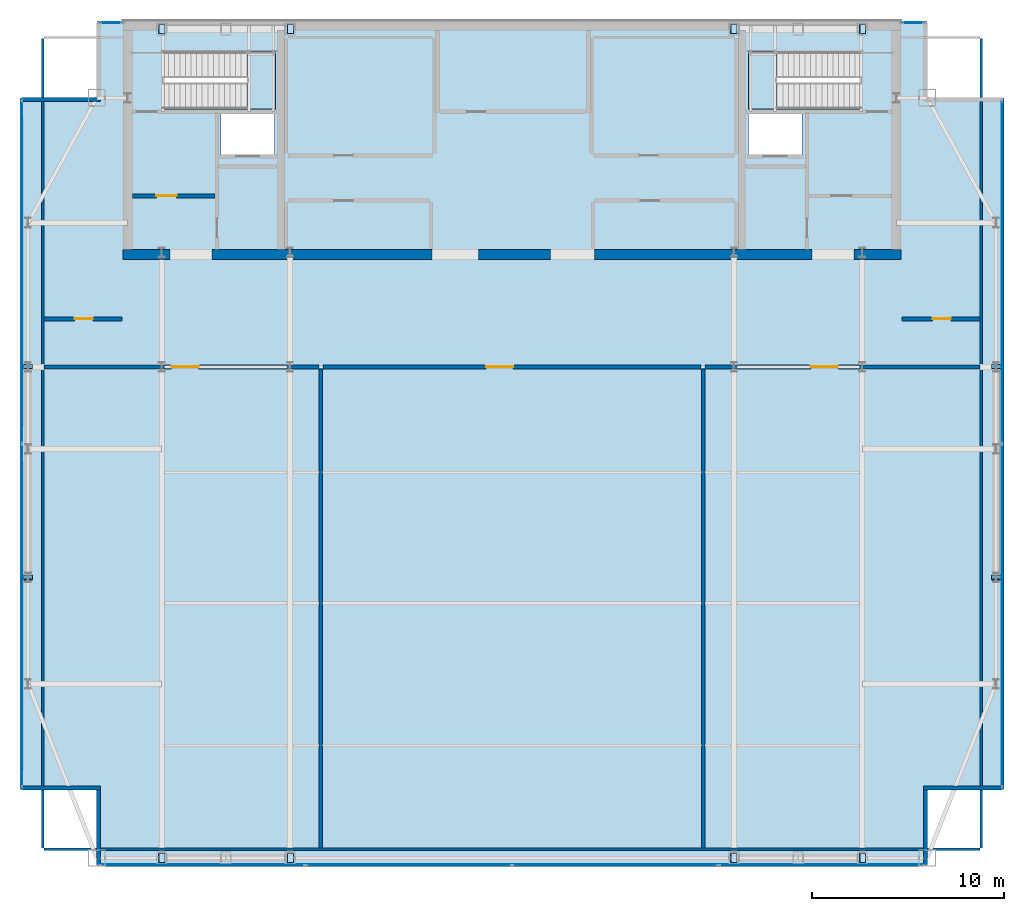
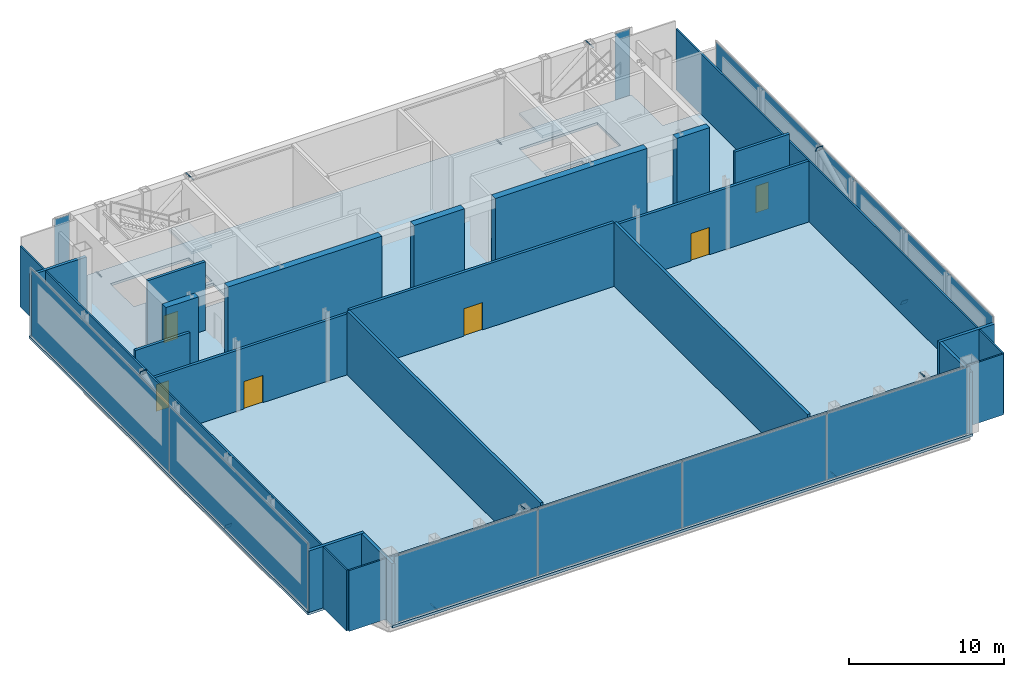
# One storey, part 18 of 22: 22 plates, 21 walls, 6 doors, 3 slabs, 6 openings, 7 elements without a shape of their own.
"""IFC4 building model written with IfcOpenShell, lengths in metres."""

import ifcopenshell
import ifcopenshell.guid

model = None  # the IFC model being written
_history = None  # IfcOwnerHistory: only IFC2X3 demands one
_inside = {}  # id of a spatial element -> (the spatial element, [elements in it])
_under = {}  # id of a project, library or spatial element -> (it, [spatial elements below it])
_declared = {}  # id of a project -> (the project, [libraries it declares])
_typed = {}  # id of a type object -> (the type object, [elements of that type])
_made_of = {}  # id of a material, layer set ... -> (it, [elements and type objects made of it])


def new_model(schema):
    """Start an empty IFC model of exactly this schema.

    Asked for "IFC4X3", IfcOpenShell would pick the latest addendum, in which some entities
    have other attributes; the version numbers below select the first issue.
    IFC2X3 requires an IfcOwnerHistory on every rooted entity: one is made here for all.
    """
    global model, _history
    if schema == "IFC4X3":
        model = ifcopenshell.file(schema_version=(4, 3, 0, 0))
    else:
        model = ifcopenshell.file(schema=schema)
    _inside.clear()
    _under.clear()
    _declared.clear()
    _typed.clear()
    _made_of.clear()
    _history = None
    if model.schema == "IFC2X3":
        org = make("IfcOrganization", Name="unknown")
        user = make(
            "IfcPersonAndOrganization",
            ThePerson=make("IfcPerson", FamilyName="unknown"),
            TheOrganization=org,
        )
        app = make(
            "IfcApplication",
            ApplicationDeveloper=org,
            Version="unknown",
            ApplicationFullName="unknown",
            ApplicationIdentifier="unknown",
        )
        _history = make(
            "IfcOwnerHistory",
            OwningUser=user,
            OwningApplication=app,
            ChangeAction="ADDED",
            CreationDate=0,
        )
    return model


def make(cls, **values):
    """One entity of the class cls with the attributes given. An attribute that is None is left unset."""
    return model.create_entity(
        cls, **{name: value for name, value in values.items() if value is not None}
    )


def rooted(cls, **values):
    """An entity with a GlobalId (a new one), such as an element, a storey or a relation."""
    return make(cls, GlobalId=ifcopenshell.guid.new(), OwnerHistory=_history, **values)


def si_unit(unit_type, name, prefix=None):
    """IfcSIUnit, for example si_unit("LENGTHUNIT", "METRE", prefix="MILLI")."""
    return make("IfcSIUnit", UnitType=unit_type, Prefix=prefix, Name=name)


def assignment(units):
    """IfcUnitAssignment: the units of a project."""
    return None if units is None else make("IfcUnitAssignment", Units=units)


def point(xyz):
    """IfcCartesianPoint."""
    return None if xyz is None else make("IfcCartesianPoint", Coordinates=xyz)


def direction(xyz):
    """IfcDirection."""
    return None if xyz is None else make("IfcDirection", DirectionRatios=xyz)


def frame(location, z_axis=None, x_axis=None):
    """IfcAxis2Placement3D, a coordinate frame: its origin and axes. An axis left out is left unset."""
    return make(
        "IfcAxis2Placement3D",
        Location=point(location),
        Axis=direction(z_axis),
        RefDirection=direction(x_axis),
    )


def frame_2d(location, x_axis=None):
    """IfcAxis2Placement2D, a coordinate frame in the plane: its origin and x axis."""
    return make(
        "IfcAxis2Placement2D", Location=point(location), RefDirection=direction(x_axis)
    )


def origin():
    """The frame at (0, 0, 0) with its axes left unset."""
    return frame((0.0, 0.0, 0.0))


def origin_2d():
    """The frame at (0, 0) in the plane with its x axis left unset."""
    return frame_2d((0.0, 0.0))


def place(relative_to, where):
    """IfcLocalPlacement: puts the frame where relative to a parent placement (None: the world)."""
    return make(
        "IfcLocalPlacement", PlacementRelTo=relative_to, RelativePlacement=where
    )


def context(
    kind, dimensions, precision=None, world=None, true_north=None, identifier=None
):
    """IfcGeometricRepresentationContext, for example the 3D "Model" context."""
    return make(
        "IfcGeometricRepresentationContext",
        ContextIdentifier=identifier,
        ContextType=kind,
        CoordinateSpaceDimension=dimensions,
        Precision=precision,
        WorldCoordinateSystem=world,
        TrueNorth=true_north,
    )


def subcontext(parent, identifier, kind, view, scale=None):
    """IfcGeometricRepresentationSubContext, for example "Body" below "Model"."""
    return make(
        "IfcGeometricRepresentationSubContext",
        ContextIdentifier=identifier,
        ContextType=kind,
        ParentContext=parent,
        TargetScale=scale,
        TargetView=view,
    )


def project(units=None, contexts=None):
    """IfcProject with its units and contexts."""
    return rooted(
        "IfcProject",
        Name="project",
        RepresentationContexts=contexts,
        UnitsInContext=assignment(units),
    )


def spatial(cls, under=None, at=None, **own):
    """A site, building, storey or space (cls), placed at a placement, below another one or the project."""
    s = rooted(cls, ObjectPlacement=at, **own)
    if under is not None:
        _under.setdefault(under.id(), (under, []))[1].append(s)
    return s


def polyline(points):
    """IfcPolyline through the points."""
    return make("IfcPolyline", Points=[point(p) for p in points])


def profile(cls, at=None, kind="AREA", **sizes):
    """A parametric profile (cls). Its sizes go by their IFC names, for example OverallWidth=200.0."""
    return make(cls, ProfileType=kind, Position=at, **sizes)


def rectangle(**sizes):
    """IfcRectangleProfileDef."""
    return profile("IfcRectangleProfileDef", **sizes)


def outline(outer, holes=None, kind="AREA"):
    """IfcArbitraryClosedProfileDef: a profile drawn as a closed curve; with holes, ...WithVoids."""
    if holes is None:
        return make("IfcArbitraryClosedProfileDef", ProfileType=kind, OuterCurve=outer)
    return make(
        "IfcArbitraryProfileDefWithVoids",
        ProfileType=kind,
        OuterCurve=outer,
        InnerCurves=holes,
    )


def extrude(swept, where, along, depth):
    """IfcExtrudedAreaSolid: the profile swept, set in the frame where, extruded along a direction by depth."""
    return make(
        "IfcExtrudedAreaSolid",
        SweptArea=swept,
        Position=where,
        ExtrudedDirection=direction(along),
        Depth=depth,
    )


def shape(context_of_items, identifier, shape_type, items):
    """IfcShapeRepresentation: the items that make up one representation, for example the "Body"."""
    return make(
        "IfcShapeRepresentation",
        ContextOfItems=context_of_items,
        RepresentationIdentifier=identifier,
        RepresentationType=shape_type,
        Items=items,
    )


def material(Name=None, Category=None):
    """IfcMaterial."""
    return make("IfcMaterial", Name=Name, Category=Category)


def layer(
    of_material, thickness, ventilated=None, Name=None, Category=None, Priority=None
):
    """IfcMaterialLayer: one layer of a wall or slab, of a material (None: an air gap)."""
    return make(
        "IfcMaterialLayer",
        Material=of_material,
        LayerThickness=thickness,
        IsVentilated=ventilated,
        Name=Name,
        Category=Category,
        Priority=Priority,
    )


def layer_set(layers, Name=None):
    """IfcMaterialLayerSet."""
    return make("IfcMaterialLayerSet", MaterialLayers=layers, LayerSetName=Name)


def made_of(thing, what):
    """Note that an element or type object is made of a material, layer set ...; save() writes the relation."""
    if what is not None:
        _made_of.setdefault(what.id(), (what, []))[1].append(thing)
    return thing


def type_object(cls, material=None, **own):
    """A type object (cls), such as IfcWallType, which elements share."""
    return made_of(rooted(cls, **own), material)


def element(
    cls,
    number,
    at=None,
    inside=None,
    cuts=None,
    type_object=None,
    material=None,
    context=None,
    identifier="Body",
    shape_type=None,
    held_by="IfcProductDefinitionShape",
    body=None,
    shapes=None,
    **own,
):
    """One element of the class cls, such as IfcWall. Its Tag is "e" and its number.

    at: its placement. inside: the storey or other place that contains it. cuts: it is an
    opening in that element (IfcRelVoidsElement). A single representation is given by context,
    identifier, shape_type and body (its items); several are given by shapes. held_by: the class
    of the entity that holds the representations. save() writes the other relations.
    """
    e = rooted(cls, Tag="e%d" % number, ObjectPlacement=at, **own)
    if body is not None:
        shapes = [shape(context, identifier, shape_type, body)]
    if shapes is not None:
        e.Representation = make(held_by, Representations=shapes)
    if inside is not None:
        _inside.setdefault(inside.id(), (inside, []))[1].append(e)
    if cuts is not None:
        rooted(
            "IfcRelVoidsElement", RelatingBuildingElement=cuts, RelatedOpeningElement=e
        )
    if type_object is not None:
        _typed.setdefault(type_object.id(), (type_object, []))[1].append(e)
    return made_of(e, material)


def fill(opening, filler):
    """IfcRelFillsElement: the door or window that sits in an opening."""
    return rooted(
        "IfcRelFillsElement",
        RelatingOpeningElement=opening,
        RelatedBuildingElement=filler,
    )


def aggregate(whole, parts):
    """IfcRelAggregates: a whole, such as a stair, and the parts it consists of."""
    return rooted("IfcRelAggregates", RelatingObject=whole, RelatedObjects=parts)


def save(model, path):
    """Write the relations noted so far, then the file.

    IfcRelAggregates (storeys below a building ...), IfcRelContainedInSpatialStructure (elements
    in a storey), IfcRelDefinesByType, IfcRelAssociatesMaterial and IfcRelDeclares: one each for
    every whole, place, type object, material and project.
    """
    for whole, parts in _under.values():
        aggregate(whole, parts)
    for where, things in _inside.values():
        rooted(
            "IfcRelContainedInSpatialStructure",
            RelatedElements=things,
            RelatingStructure=where,
        )
    for kind, things in _typed.values():
        rooted("IfcRelDefinesByType", RelatedObjects=things, RelatingType=kind)
    for what, things in _made_of.values():
        rooted("IfcRelAssociatesMaterial", RelatedObjects=things, RelatingMaterial=what)
    for by, libraries in _declared.values():
        rooted("IfcRelDeclares", RelatingContext=by, RelatedDefinitions=libraries)
    model.write(path)


model = new_model("IFC4")

# Units and contexts
model_context = context("Model", 3, precision=1e-05, world=origin(), true_north=direction((0.0, 1.0)))
body_context = subcontext(model_context, "Body", "Model", "MODEL_VIEW")
ifc_project = project(units=[si_unit("LENGTHUNIT", "METRE"), si_unit("AREAUNIT", "SQUARE_METRE"), si_unit("VOLUMEUNIT", "CUBIC_METRE"), si_unit("PLANEANGLEUNIT", "RADIAN"), si_unit("MASSUNIT", "GRAM", prefix="KILO")], contexts=[model_context])

# Site, building, storey
site_placement = place(None, origin())
site = spatial("IfcSite", under=ifc_project, at=site_placement, CompositionType="ELEMENT")
building_placement = place(site_placement, origin())
building = spatial("IfcBuilding", under=site, at=building_placement, Name="Khoronbel Lancet Exchange", CompositionType="ELEMENT")
storey_placement = place(building_placement, frame((0.0, 0.0, 367.39990234375)))
storey = spatial("IfcBuildingStorey", under=building, at=storey_placement, Name="L94", CompositionType="ELEMENT", Elevation=367.39990234375)

# Curtain wall, plates
ifc_material_1 = material(Name="Low-E Solar Control Insulating Glass", Category="glass")
curtain_wall_type = type_object("IfcCurtainWallType", Name="CW-6", PredefinedType="NOTDEFINED", material=ifc_material_1)
curtain_wall_1_placement = place(storey_placement, origin())
curtain_wall_1 = element("IfcCurtainWall", 1, at=curtain_wall_1_placement, inside=storey, type_object=curtain_wall_type, Name="Unitised curtain wall CW-L94-E03", PredefinedType="NOTDEFINED")
ifc_material_2 = material(Name="Bronze-Anodised Aluminium 6063-T6", Category="aluminium")
ifc_layer_1 = layer(ifc_material_2, 0.050048828125, Name="Bronze-Anodised Aluminium 6063-T6")
ifc_layer_set_1 = layer_set([ifc_layer_1], Name="Bronze-Anodised Aluminium 6063-T6")
plate_type_1 = type_object("IfcPlateType", Name="PLT-CSP1", PredefinedType="SHEET", material=ifc_layer_set_1)
plate_1_placement = place(storey_placement, frame((10.93994140625, 22.763671875, 0.085205078125), z_axis=(0.0, 0.0, 1.0), x_axis=(0.0, 1.0, 0.0)))
plate_1 = element("IfcPlate", 2, at=plate_1_placement, type_object=plate_type_1, Name="CW6 panel 1.1", PredefinedType="CURTAIN_PANEL", context=body_context, shape_type="SweptSolid", body=[
    extrude(rectangle(XDim=17.797607421875, YDim=0.0380859375, at=origin_2d()), origin(), (0.0, 0.0, 1.0), 5.22998046875),
])
plate_2_placement = place(storey_placement, frame((10.93994140625, 40.63623046875, 0.085205078125), z_axis=(0.0, 0.0, 1.0), x_axis=(0.0, 1.0, 0.0)))
plate_2 = element("IfcPlate", 3, at=plate_2_placement, type_object=plate_type_1, Name="CW6 panel 2.1", PredefinedType="CURTAIN_PANEL", context=body_context, shape_type="SweptSolid", body=[
    extrude(rectangle(XDim=17.797607421875, YDim=0.0380859375, at=origin_2d()), origin(), (0.0, 0.0, 1.0), 5.22998046875),
])
aggregate(curtain_wall_1, [plate_1, plate_2])

# Curtain wall, plate
curtain_wall_2_placement = place(storey_placement, origin())
curtain_wall_2 = element("IfcCurtainWall", 4, at=curtain_wall_2_placement, inside=storey, type_object=curtain_wall_type, Name="Unitised curtain wall CW-L94-NWFLK", PredefinedType="NOTDEFINED")
plate_3_placement = place(storey_placement, frame((15.580078125, 53.610107421875, 0.085205078125), z_axis=(0.0, 0.0, 1.0), x_axis=(-1.0, 0.0, 0.0)))
plate_3 = element("IfcPlate", 5, at=plate_3_placement, type_object=plate_type_1, Name="CW6 panel 1.1", PredefinedType="CURTAIN_PANEL", context=body_context, shape_type="SweptSolid", body=[
    extrude(rectangle(XDim=1.110107421875, YDim=0.0380859375, at=origin_2d()), origin(), (0.0, 0.0, 1.0), 5.22998046875),
])
aggregate(curtain_wall_2, [plate_3])

curtain_wall_3_placement = place(storey_placement, origin())
curtain_wall_3 = element("IfcCurtainWall", 6, at=curtain_wall_3_placement, inside=storey, type_object=curtain_wall_type, Name="Unitised curtain wall CW-L94-NEFLK", PredefinedType="NOTDEFINED")
plate_4_placement = place(storey_placement, frame((57.320068359375, 53.610107421875, 0.085205078125), z_axis=(0.0, 0.0, 1.0), x_axis=(-1.0, 0.0, 0.0)))
plate_4 = element("IfcPlate", 7, at=plate_4_placement, type_object=plate_type_1, Name="CW6 panel 1.1", PredefinedType="CURTAIN_PANEL", context=body_context, shape_type="SweptSolid", body=[
    extrude(rectangle(XDim=1.110107421875, YDim=0.0380859375, at=origin_2d()), origin(), (0.0, 0.0, 1.0), 5.22998046875),
])
aggregate(curtain_wall_3, [plate_4])

# Curtain wall, plates
curtain_wall_4_placement = place(storey_placement, origin())
curtain_wall_4 = element("IfcCurtainWall", 8, at=curtain_wall_4_placement, inside=storey, type_object=curtain_wall_type, Name="Unitised curtain wall CW-L94-E09", PredefinedType="NOTDEFINED")
plate_5_placement = place(storey_placement, frame((61.9599609375, 40.63623046875, 0.085205078125), z_axis=(0.0, 0.0, 1.0), x_axis=(0.0, -1.0, 0.0)))
plate_5 = element("IfcPlate", 9, at=plate_5_placement, type_object=plate_type_1, Name="CW6 panel 1.1", PredefinedType="CURTAIN_PANEL", context=body_context, shape_type="SweptSolid", body=[
    extrude(rectangle(XDim=17.797607421875, YDim=0.0380859375, at=origin_2d()), origin(), (0.0, 0.0, 1.0), 5.22998046875),
])
plate_6_placement = place(storey_placement, frame((61.9599609375, 22.763671875, 0.085205078125), z_axis=(0.0, 0.0, 1.0), x_axis=(0.0, -1.0, 0.0)))
plate_6 = element("IfcPlate", 10, at=plate_6_placement, type_object=plate_type_1, Name="CW6 panel 2.1", PredefinedType="CURTAIN_PANEL", context=body_context, shape_type="SweptSolid", body=[
    extrude(rectangle(XDim=17.797607421875, YDim=0.0380859375, at=origin_2d()), origin(), (0.0, 0.0, 1.0), 5.22998046875),
])
aggregate(curtain_wall_4, [plate_5, plate_6])

curtain_wall_5_placement = place(storey_placement, origin())
curtain_wall_5 = element("IfcCurtainWall", 11, at=curtain_wall_5_placement, inside=storey, type_object=curtain_wall_type, Name="Unitised curtain wall CW-L94-E12", PredefinedType="NOTDEFINED")
plate_7_placement = place(storey_placement, frame((52.563720703125, 9.7900390625, 0.085205078125), z_axis=(0.0, 0.0, 1.0), x_axis=(-1.0, 0.0, 0.0)))
plate_7 = element("IfcPlate", 12, at=plate_7_placement, type_object=plate_type_1, Name="CW6 panel 1.1", PredefinedType="CURTAIN_PANEL", context=body_context, shape_type="SweptSolid", body=[
    extrude(rectangle(XDim=10.642578125, YDim=0.0380859375, at=origin_2d()), origin(), (0.0, 0.0, 1.0), 5.22998046875),
])
plate_8_placement = place(storey_placement, frame((41.827392578125, 9.7900390625, 0.085205078125), z_axis=(0.0, 0.0, 1.0), x_axis=(-1.0, 0.0, 0.0)))
plate_8 = element("IfcPlate", 13, at=plate_8_placement, type_object=plate_type_1, Name="CW6 panel 2.1", PredefinedType="CURTAIN_PANEL", context=body_context, shape_type="SweptSolid", body=[
    extrude(rectangle(XDim=10.679931640625, YDim=0.0380859375, at=origin_2d()), origin(), (0.0, 0.0, 1.0), 5.22998046875),
])
plate_9_placement = place(storey_placement, frame((31.072509765625, 9.7900390625, 0.085205078125), z_axis=(0.0, 0.0, 1.0), x_axis=(-1.0, 0.0, 0.0)))
plate_9 = element("IfcPlate", 14, at=plate_9_placement, type_object=plate_type_1, Name="CW6 panel 3.1", PredefinedType="CURTAIN_PANEL", context=body_context, shape_type="SweptSolid", body=[
    extrude(rectangle(XDim=10.679931640625, YDim=0.0380859375, at=origin_2d()), origin(), (0.0, 0.0, 1.0), 5.22998046875),
])
plate_10_placement = place(storey_placement, frame((20.336181640625, 9.7900390625, 0.085205078125), z_axis=(0.0, 0.0, 1.0), x_axis=(-1.0, 0.0, 0.0)))
plate_10 = element("IfcPlate", 15, at=plate_10_placement, type_object=plate_type_1, Name="CW6 panel 4.1", PredefinedType="CURTAIN_PANEL", context=body_context, shape_type="SweptSolid", body=[
    extrude(rectangle(XDim=10.642578125, YDim=0.0380859375, at=origin_2d()), origin(), (0.0, 0.0, 1.0), 5.22998046875),
])
aggregate(curtain_wall_5, [plate_7, plate_8, plate_9, plate_10])

# Plates
ifc_material_3 = material(Name="Steel S460", Category="steel")
ifc_layer_2 = layer(ifc_material_3, 0.044921875, Name="Steel S460")
ifc_layer_set_2 = layer_set([ifc_layer_2], Name="Steel S460")
plate_type_2 = type_object("IfcPlateType", Name="PLT-ECP1", PredefinedType="USERDEFINED", material=ifc_layer_set_2)
for number, where, z_axis, x_axis, name in (
    (16, (18.385498046875, 9.909912109375, -0.1787109375), (0.776533818533, 0.0, 0.63007557378), (0.0, 1.0, 0.0), "Hollow end cap plate PLT-CAP-MEM-L94-CROWN-BR-S1-0"),
    (17, (25.076904296875, 9.909912109375, 5.254638671875), (0.776331812699, 0.0, 0.63032445343), (0.0, 1.0, 0.0), "Hollow end cap plate PLT-CAP-MEM-L94-CROWN-BR-S1-1"),
):
    element("IfcPlate", number, at=place(storey_placement, frame(where, z_axis=z_axis, x_axis=x_axis)), inside=storey, type_object=plate_type_2, Name=name, ObjectType="STIFFENER_PLATE", PredefinedType="USERDEFINED", context=body_context, shape_type="SweptSolid", body=[
        extrude(outline(polyline([(0.0, 0.0), (0.47998046875, 0.0), (0.47998046875, 0.47998046875), (0.0, 0.47998046875), (0.0, 0.0)])), origin(), (0.0, 0.0, -1.0), 0.044921875),
    ])
plate_11_placement = place(storey_placement, frame((48.16064453125, 9.909912109375, -0.1787109375), z_axis=(0.776285024005, 0.0, 0.630382075813), x_axis=(0.0, 1.0, 0.0)))
element("IfcPlate", 18, at=plate_11_placement, inside=storey, type_object=plate_type_2, Name="Hollow end cap plate PLT-CAP-MEM-L94-CROWN-BR-S2-0", ObjectType="STIFFENER_PLATE", PredefinedType="USERDEFINED", context=body_context, shape_type="SweptSolid", body=[
    extrude(outline(polyline([(0.0, 0.0), (0.47998046875, 0.0), (0.47998046875, 0.480224609375), (0.0, 0.480224609375), (0.0, 0.0)])), origin(), (0.0, 0.0, -1.0), 0.044921875),
])
for number, where, z_axis, x_axis, name in (
    (19, (54.851806640625, 9.909912109375, 5.254638671875), (0.776331812699, 0.0, 0.63032445343), (0.0, 1.0, 0.0), "Hollow end cap plate PLT-CAP-MEM-L94-CROWN-BR-S2-1"),
    (20, (18.385498046875, 53.0400390625, -0.1787109375), (0.776533818533, 0.0, 0.63007557378), (0.0, 1.0, 0.0), "Hollow end cap plate PLT-CAP-MEM-L94-CROWN-BR-N1-0"),
    (21, (25.076904296875, 53.0400390625, 5.254638671875), (0.776331812699, 0.0, 0.63032445343), (0.0, 1.0, 0.0), "Hollow end cap plate PLT-CAP-MEM-L94-CROWN-BR-N1-1"),
):
    element("IfcPlate", number, at=place(storey_placement, frame(where, z_axis=z_axis, x_axis=x_axis)), inside=storey, type_object=plate_type_2, Name=name, ObjectType="STIFFENER_PLATE", PredefinedType="USERDEFINED", context=body_context, shape_type="SweptSolid", body=[
        extrude(outline(polyline([(0.0, 0.0), (0.47998046875, 0.0), (0.47998046875, 0.47998046875), (0.0, 0.47998046875), (0.0, 0.0)])), origin(), (0.0, 0.0, -1.0), 0.044921875),
    ])
plate_12_placement = place(storey_placement, frame((48.16064453125, 53.0400390625, -0.1787109375), z_axis=(0.776285024005, 0.0, 0.630382075813), x_axis=(0.0, 1.0, 0.0)))
element("IfcPlate", 22, at=plate_12_placement, inside=storey, type_object=plate_type_2, Name="Hollow end cap plate PLT-CAP-MEM-L94-CROWN-BR-N2-0", ObjectType="STIFFENER_PLATE", PredefinedType="USERDEFINED", context=body_context, shape_type="SweptSolid", body=[
    extrude(outline(polyline([(0.0, 0.0), (0.47998046875, 0.0), (0.47998046875, 0.480224609375), (0.0, 0.480224609375), (0.0, 0.0)])), origin(), (0.0, 0.0, -1.0), 0.044921875),
])
for number, where, z_axis, x_axis, name in (
    (23, (54.851806640625, 53.0400390625, 5.254638671875), (0.776331812699, 0.0, 0.63032445343), (0.0, 1.0, 0.0), "Hollow end cap plate PLT-CAP-MEM-L94-CROWN-BR-N2-1"),
    (24, (11.510009765625, 24.8671875, -0.209716796875), (0.0, 0.896250852625, 0.443547527519), (-1.0, 0.0, 0.0), "Hollow end cap plate PLT-CAP-MEM-L94-CROWN-BR-W1-0"),
    (25, (11.510009765625, 35.8359375, 5.2197265625), (0.0, 0.896250852625, 0.443547527519), (-1.0, 0.0, 0.0), "Hollow end cap plate PLT-CAP-MEM-L94-CROWN-BR-W1-1"),
):
    element("IfcPlate", number, at=place(storey_placement, frame(where, z_axis=z_axis, x_axis=x_axis)), inside=storey, type_object=plate_type_2, Name=name, ObjectType="STIFFENER_PLATE", PredefinedType="USERDEFINED", context=body_context, shape_type="SweptSolid", body=[
        extrude(outline(polyline([(0.0, 0.0), (0.47998046875, 0.0), (0.47998046875, 0.47998046875), (0.0, 0.47998046875), (0.0, 0.0)])), origin(), (0.0, 0.0, -1.0), 0.044921875),
    ])
for number, where, z_axis, x_axis, name in (
    (26, (61.8701171875, 24.8671875, -0.209716796875), (0.0, 0.896250852625, 0.443547527519), (-1.0, 0.0, 0.0), "Hollow end cap plate PLT-CAP-MEM-L94-CROWN-BR-E1-0"),
    (27, (61.8701171875, 35.8359375, 5.2197265625), (0.0, 0.896250852625, 0.443547527519), (-1.0, 0.0, 0.0), "Hollow end cap plate PLT-CAP-MEM-L94-CROWN-BR-E1-1"),
):
    element("IfcPlate", number, at=place(storey_placement, frame(where, z_axis=z_axis, x_axis=x_axis)), inside=storey, type_object=plate_type_2, Name=name, ObjectType="STIFFENER_PLATE", PredefinedType="USERDEFINED", context=body_context, shape_type="SweptSolid", body=[
        extrude(outline(polyline([(0.0, 0.0), (0.480224609375, 0.0), (0.480224609375, 0.47998046875), (0.0, 0.47998046875), (0.0, 0.0)])), origin(), (0.0, 0.0, -1.0), 0.044921875),
    ])

# Slab
ifc_material_4 = material(Name="Concrete C40/50", Category="concrete")
ifc_layer_3 = layer(ifc_material_4, 0.199951171875, Name="Concrete C40/50")
ifc_layer_set_3 = layer_set([ifc_layer_3], Name="Concrete C40/50")
slab_type_1 = type_object("IfcSlabType", Name="SL-FL200", PredefinedType="FLOOR", material=ifc_layer_set_3)
slab_1_placement = place(storey_placement, frame((0.0, 0.0, -0.199951171875)))
element("IfcSlab", 28, at=slab_1_placement, inside=storey, type_object=slab_type_1, Name="Level L94 composite structural floor slab", PredefinedType="FLOOR", context=body_context, shape_type="SweptSolid", body=[
    extrude(outline(polyline([(14.85009765625, 9.699951171875), (58.050048828125, 9.699951171875), (58.050048828125, 13.699951171875), (62.050048828125, 13.699951171875), (62.050048828125, 17.699951171875), (62.050048828125, 45.699951171875), (62.050048828125, 49.699951171875), (58.050048828125, 49.699951171875), (58.050048828125, 53.699951171875), (14.85009765625, 53.699951171875), (14.85009765625, 49.699951171875), (10.85009765625, 49.699951171875), (10.85009765625, 45.699951171875), (10.85009765625, 17.699951171875), (10.85009765625, 13.699951171875), (14.85009765625, 13.699951171875), (14.85009765625, 9.699951171875)]), holes=[polyline([(18.324951171875, 49.1201171875), (24.14990234375, 49.1201171875), (24.14990234375, 52.10009765625), (18.324951171875, 52.10009765625), (18.324951171875, 49.1201171875)]), polyline([(48.75, 49.1201171875), (54.574951171875, 49.1201171875), (54.574951171875, 52.10009765625), (48.75, 52.10009765625), (48.75, 49.1201171875)]), polyline([(21.300048828125, 46.75), (24.10009765625, 46.75), (24.10009765625, 48.85009765625), (21.300048828125, 48.85009765625), (21.300048828125, 46.75)]), polyline([(48.75, 46.75), (51.550048828125, 46.75), (51.550048828125, 48.85009765625), (48.75, 48.85009765625), (48.75, 46.75)])]), origin(), (0.0, 0.0, 1.0), 0.199951171875),
])

# Stair, slab
stair_type = type_object("IfcStairType", Name="STR-CRN135", PredefinedType="HALF_TURN_STAIR", material=ifc_material_4)
stair_1_placement = place(storey_placement, origin())
stair_1 = element("IfcStair", 29, at=stair_1_placement, inside=storey, type_object=stair_type, Name="L94 Protected Exit Stair ST1", PredefinedType="HALF_TURN_STAIR")
ifc_layer_4 = layer(ifc_material_4, 0.199951171875, Name="Concrete C40/50")
ifc_layer_set_4 = layer_set([ifc_layer_4], Name="Concrete C40/50")
slab_type_2 = type_object("IfcSlabType", Name="SL-LND180", PredefinedType="LANDING", material=ifc_layer_set_4)
slab_2_placement = place(storey_placement, frame((0.0, 0.0, 2.60009765625)))
slab_2 = element("IfcSlab", 30, at=slab_2_placement, type_object=slab_type_2, Name="ST1 landing 1", PredefinedType="LANDING", context=body_context, shape_type="SweptSolid", body=[
    extrude(outline(polyline([(22.64990234375, 49.1201171875), (24.14990234375, 49.1201171875), (24.14990234375, 52.10009765625), (22.64990234375, 52.10009765625), (22.64990234375, 49.1201171875)])), origin(), (0.0, 0.0, 1.0), 0.199951171875),
])
aggregate(stair_1, [slab_2])

stair_2_placement = place(storey_placement, origin())
stair_2 = element("IfcStair", 31, at=stair_2_placement, inside=storey, type_object=stair_type, Name="L94 Protected Exit Stair ST2", PredefinedType="HALF_TURN_STAIR")
slab_3_placement = place(storey_placement, frame((0.0, 0.0, 2.60009765625)))
slab_3 = element("IfcSlab", 32, at=slab_3_placement, type_object=slab_type_2, Name="ST2 landing 1", PredefinedType="LANDING", context=body_context, shape_type="SweptSolid", body=[
    extrude(outline(polyline([(50.25, 52.10009765625), (48.75, 52.10009765625), (48.75, 49.1201171875), (50.25, 49.1201171875), (50.25, 52.10009765625)])), origin(), (0.0, 0.0, 1.0), 0.199951171875),
])
aggregate(stair_2, [slab_3])

# Walls
ifc_material_5 = material(Name="Concrete C60/75", Category="concrete")
ifc_layer_5 = layer(ifc_material_5, 0.5, Name="Concrete C60/75")
ifc_layer_set_5 = layer_set([ifc_layer_5], Name="Concrete C60/75")
wall_type_1 = type_object("IfcWallType", Name="WL-CW4", PredefinedType="SHEAR", material=ifc_layer_set_5)
wall_1_placement = place(storey_placement, frame((18.64990234375, 41.550048828125, 0.0), z_axis=(0.0, 0.0, 1.0), x_axis=(-1.0, 0.0, 0.0)))
element("IfcWall", 33, at=wall_1_placement, inside=storey, type_object=wall_type_1, Name="Level L94 rear core south shear wall pier P1", PredefinedType="SHEAR", context=body_context, shape_type="SweptSolid", body=[
    extrude(rectangle(XDim=2.449951171875, YDim=0.5, at=frame_2d((1.22509765625, 0.0))), origin(), (0.0, 0.0, 1.0), 5.400146484375),
])
wall_2_placement = place(storey_placement, frame((32.300048828125, 41.550048828125, 0.0), z_axis=(0.0, 0.0, 1.0), x_axis=(-1.0, 0.0, 0.0)))
element("IfcWall", 34, at=wall_2_placement, inside=storey, type_object=wall_type_1, Name="Level L94 rear core south shear wall pier P2", PredefinedType="SHEAR", context=body_context, shape_type="SweptSolid", body=[
    extrude(rectangle(XDim=11.449951171875, YDim=0.5, at=frame_2d((5.72509765625, 0.0))), origin(), (0.0, 0.0, 1.0), 5.400146484375),
])
wall_3_placement = place(storey_placement, frame((38.449951171875, 41.550048828125, 0.0), z_axis=(0.0, 0.0, 1.0), x_axis=(-1.0, 0.0, 0.0)))
element("IfcWall", 35, at=wall_3_placement, inside=storey, type_object=wall_type_1, Name="Level L94 rear core south shear wall pier P3", PredefinedType="SHEAR", context=body_context, shape_type="SweptSolid", body=[
    extrude(rectangle(XDim=3.75, YDim=0.5, at=frame_2d((1.875, 0.0))), origin(), (0.0, 0.0, 1.0), 5.400146484375),
])
wall_4_placement = place(storey_placement, frame((52.050048828125, 41.550048828125, 0.0), z_axis=(0.0, 0.0, 1.0), x_axis=(-1.0, 0.0, 0.0)))
element("IfcWall", 36, at=wall_4_placement, inside=storey, type_object=wall_type_1, Name="Level L94 rear core south shear wall pier P4", PredefinedType="SHEAR", context=body_context, shape_type="SweptSolid", body=[
    extrude(rectangle(XDim=11.300048828125, YDim=0.5, at=frame_2d((5.64990234375, 0.0))), origin(), (0.0, 0.0, 1.0), 5.400146484375),
])
wall_5_placement = place(storey_placement, frame((56.699951171875, 41.550048828125, 0.0), z_axis=(0.0, 0.0, 1.0), x_axis=(-1.0, 0.0, 0.0)))
element("IfcWall", 37, at=wall_5_placement, inside=storey, type_object=wall_type_1, Name="Level L94 rear core south shear wall pier P5", PredefinedType="SHEAR", context=body_context, shape_type="SweptSolid", body=[
    extrude(rectangle(XDim=2.449951171875, YDim=0.5, at=frame_2d((1.22509765625, 0.0))), origin(), (0.0, 0.0, 1.0), 5.400146484375),
])
ifc_material_6 = material(Name="Precast concrete C40/50", Category="concrete")
ifc_layer_6 = layer(ifc_material_6, 0.25, Name="Precast concrete C40/50")
ifc_layer_set_6 = layer_set([ifc_layer_6], Name="Precast concrete C40/50")
wall_type_2 = type_object("IfcWallType", Name="WL-EXT250", PredefinedType="SOLIDWALL", material=ifc_layer_set_6)
wall_6_placement = place(storey_placement, frame((14.93994140625, 9.77001953125, 0.0), z_axis=(0.0, 0.0, 1.0), x_axis=(0.0, 1.0, 0.0)))
element("IfcWall", 38, at=wall_6_placement, inside=storey, type_object=wall_type_2, Name="Level L94 notched-corner limestone pier 01", PredefinedType="SOLIDWALL", context=body_context, shape_type="SweptSolid", body=[
    extrude(rectangle(XDim=3.909912109375, YDim=0.219970703125, at=frame_2d((1.955078125, 0.0))), origin(), (0.0, 0.0, 1.0), 4.840087890625),
])
for number, where, z_axis, x_axis, name in (
    (39, (15.050048828125, 13.7900390625, 0.0), (0.0, 0.0, 1.0), (-1.0, 0.0, 0.0), "Level L94 notched-corner limestone pier 02"),
    (40, (10.919921875, 49.610107421875, 0.0), (0.0, 0.0, 1.0), (1.0, 0.0, 0.0), "Level L94 notched-corner limestone pier 04"),
):
    element("IfcWall", number, at=place(storey_placement, frame(where, z_axis=z_axis, x_axis=x_axis)), inside=storey, type_object=wall_type_2, Name=name, PredefinedType="SOLIDWALL", context=body_context, shape_type="SweptSolid", body=[
        extrude(rectangle(XDim=4.130126953125, YDim=0.219970703125, at=frame_2d((2.06494140625, 0.0))), origin(), (0.0, 0.0, 1.0), 4.840087890625),
    ])
wall_7_placement = place(storey_placement, frame((61.97998046875, 13.7900390625, 0.0), z_axis=(0.0, 0.0, 1.0), x_axis=(-1.0, 0.0, 0.0)))
element("IfcWall", 41, at=wall_7_placement, inside=storey, type_object=wall_type_2, Name="Level L94 notched-corner limestone pier 10", PredefinedType="SOLIDWALL", context=body_context, shape_type="SweptSolid", body=[
    extrude(rectangle(XDim=4.1298828125, YDim=0.219970703125, at=frame_2d((2.06494140625, 0.0))), origin(), (0.0, 0.0, 1.0), 4.840087890625),
])
wall_8_placement = place(storey_placement, frame((57.9599609375, 13.679931640625, 0.0), z_axis=(0.0, 0.0, 1.0), x_axis=(0.0, -1.0, 0.0)))
element("IfcWall", 42, at=wall_8_placement, inside=storey, type_object=wall_type_2, Name="Level L94 notched-corner limestone pier 11", PredefinedType="SOLIDWALL", context=body_context, shape_type="SweptSolid", body=[
    extrude(rectangle(XDim=3.909912109375, YDim=0.219970703125, at=frame_2d((1.955078125, 0.0))), origin(), (0.0, 0.0, 1.0), 4.840087890625),
])
ifc_material_7 = material(Name="Acoustic Metal-Stud & Mineral-Wool Gypsum Partition 120 mm", Category="gypsum")
ifc_layer_7 = layer(ifc_material_7, 0.1201171875, Name="Acoustic Metal-Stud & Mineral-Wool Gypsum Partition 120 mm")
ifc_layer_set_7 = layer_set([ifc_layer_7], Name="Acoustic Metal-Stud & Mineral-Wool Gypsum Partition 120 mm")
wall_type_3 = type_object("IfcWallType", Name="WL-PRT120", PredefinedType="PARTITIONING", material=ifc_layer_set_7)
for number, where, z_axis, x_axis, name in (
    (43, (12.030029296875, 10.6650390625, 0.0), (0.0, 0.0, 1.0), (0.0, 1.0, 0.0), "Level L94 interior partition PW-LIN-W"),
    (44, (60.8701171875, 10.6650390625, 0.0), (0.0, 0.0, 1.0), (0.0, 1.0, 0.0), "Level L94 interior partition PW-LIN-E"),
):
    element("IfcWall", number, at=place(storey_placement, frame(where, z_axis=z_axis, x_axis=x_axis)), inside=storey, type_object=wall_type_3, Name=name, PredefinedType="PARTITIONING", context=body_context, shape_type="SweptSolid", body=[
        extrude(rectangle(XDim=42.10986328125, YDim=0.1201171875, at=frame_2d((21.054931640625, 0.0))), origin(), (0.0, 0.0, 1.0), 4.7900390625),
    ])
wall_9_placement = place(storey_placement, frame((12.094970703125, 10.60009765625, 0.0), z_axis=(0.0, 0.0, 1.0), x_axis=(1.0, 0.0, 0.0)))
element("IfcWall", 45, at=wall_9_placement, inside=storey, type_object=wall_type_3, Name="Level L94 interior partition PW-LIN-S", PredefinedType="PARTITIONING", context=body_context, shape_type="SweptSolid", body=[
    extrude(rectangle(XDim=48.7099609375, YDim=0.1201171875, at=frame_2d((24.35498046875, 0.0))), origin(), (0.0, 0.0, 1.0), 4.7900390625),
])

# Wall, opening, door
ifc_material_8 = material(Name="Autoclaved Aerated Concrete Blockwork 200 mm", Category="masonry")
ifc_layer_8 = layer(ifc_material_8, 0.199951171875, Name="Autoclaved Aerated Concrete Blockwork 200 mm")
ifc_layer_set_8 = layer_set([ifc_layer_8], Name="Autoclaved Aerated Concrete Blockwork 200 mm")
wall_type_4 = type_object("IfcWallType", Name="WL-PRT200", PredefinedType="PARTITIONING", material=ifc_layer_set_8)
wall_10_placement = place(storey_placement, frame((16.699951171875, 44.60009765625, 0.0), z_axis=(0.0, 0.0, 1.0), x_axis=(1.0, 0.0, 0.0)))
wall_10 = element("IfcWall", 46, at=wall_10_placement, inside=storey, type_object=wall_type_4, Name="Level L94 interior partition CW-FFLW-S", PredefinedType="PARTITIONING", context=body_context, shape_type="SweptSolid", body=[
    extrude(rectangle(XDim=4.300048828125, YDim=0.199951171875, at=frame_2d((2.14990234375, 0.0))), origin(), (0.0, 0.0, 1.0), 5.400146484375),
])
opening_1_placement = place(wall_10_placement, frame((1.25, 0.0, 0.0)))
opening_1 = element("IfcOpeningElement", 47, at=opening_1_placement, cuts=wall_10, Name="Opening FD1", PredefinedType="OPENING", context=body_context, shape_type="SweptSolid", body=[
    extrude(rectangle(XDim=1.050048828125, YDim=2.14990234375, at=frame_2d((0.52490234375, 1.074951171875))), frame((0.0, 0.10986328125, 0.0), z_axis=(0.0, -1.0, 0.0), x_axis=(1.0, 0.0, 0.0)), (0.0, 0.0, 1.0), 0.219970703125),
])
ifc_material_9 = material(Name="Fire-Rated Painted Steel Door Assembly", Category="steel")
door_type_1 = type_object("IfcDoorType", Name="DR-FD1", OperationType="NOTDEFINED", PredefinedType="DOOR", material=ifc_material_9)
door_1_placement = place(opening_1_placement, origin())
door_1 = element("IfcDoor", 48, at=door_1_placement, inside=storey, type_object=door_type_1, Name="West firefighting lobby FD90S door L94-1", OperationType="SINGLE_SWING_LEFT", OverallHeight=2.14990234375, OverallWidth=1.050048828125, PredefinedType="DOOR", context=body_context, shape_type="SweptSolid", body=[
    extrude(rectangle(XDim=1.050048828125, YDim=2.14990234375, at=frame_2d((0.52490234375, 1.074951171875))), frame((0.0, 0.02490234375, 0.0), z_axis=(0.0, -1.0, 0.0), x_axis=(1.0, 0.0, 0.0)), (0.0, 0.0, 1.0), 0.050048828125),
])
fill(opening_1, door_1)

wall_11_placement = place(storey_placement, frame((12.094970703125, 35.699951171875, 0.0), z_axis=(0.0, 0.0, 1.0), x_axis=(1.0, 0.0, 0.0)))
wall_11 = element("IfcWall", 49, at=wall_11_placement, inside=storey, type_object=wall_type_4, Name="Level L94 interior partition PW-CRN-S1", PredefinedType="PARTITIONING", context=body_context, shape_type="SweptSolid", body=[
    extrude(rectangle(XDim=14.300048828125, YDim=0.199951171875, at=frame_2d((7.14990234375, 0.0))), origin(), (0.0, 0.0, 1.0), 4.7900390625),
])
opening_2_placement = place(wall_11_placement, frame((6.64990234375, 0.0, 0.0)))
opening_2 = element("IfcOpeningElement", 50, at=opening_2_placement, cuts=wall_11, Name="Opening D7", PredefinedType="OPENING", context=body_context, shape_type="SweptSolid", body=[
    extrude(rectangle(XDim=1.39990234375, YDim=2.14990234375, at=frame_2d((0.699951171875, 1.074951171875))), frame((0.0, 0.10986328125, 0.0), z_axis=(0.0, -1.0, 0.0), x_axis=(1.0, 0.0, 0.0)), (0.0, 0.0, 1.0), 0.219970703125),
])
ifc_material_10 = material(Name="Fire-Rated Heavy Plant Double Door Assembly", Category="steel")
door_type_2 = type_object("IfcDoorType", Name="DR-D7", OperationType="NOTDEFINED", PredefinedType="DOOR", material=ifc_material_10)
door_2_placement = place(opening_2_placement, origin())
door_2 = element("IfcDoor", 51, at=door_2_placement, inside=storey, type_object=door_type_2, Name="Crown west plant double door L94-1", OperationType="DOUBLE_DOOR_SINGLE_SWING", OverallHeight=2.14990234375, OverallWidth=1.39990234375, PredefinedType="DOOR", context=body_context, shape_type="SweptSolid", body=[
    extrude(rectangle(XDim=1.39990234375, YDim=2.14990234375, at=frame_2d((0.699951171875, 1.074951171875))), frame((0.0, 0.02490234375, 0.0), z_axis=(0.0, -1.0, 0.0), x_axis=(1.0, 0.0, 0.0)), (0.0, 0.0, 1.0), 0.050048828125),
])
fill(opening_2, door_2)

wall_12_placement = place(storey_placement, frame((26.60498046875, 35.699951171875, 0.0), z_axis=(0.0, 0.0, 1.0), x_axis=(1.0, 0.0, 0.0)))
wall_12 = element("IfcWall", 52, at=wall_12_placement, inside=storey, type_object=wall_type_4, Name="Level L94 interior partition PW-CRN-S2", PredefinedType="PARTITIONING", context=body_context, shape_type="SweptSolid", body=[
    extrude(rectangle(XDim=19.68994140625, YDim=0.199951171875, at=frame_2d((9.844970703125, 0.0))), origin(), (0.0, 0.0, 1.0), 5.030029296875),
])
opening_3_placement = place(wall_12_placement, frame((8.5, 0.0, 0.0)))
opening_3 = element("IfcOpeningElement", 53, at=opening_3_placement, cuts=wall_12, Name="Opening D7", PredefinedType="OPENING", context=body_context, shape_type="SweptSolid", body=[
    extrude(rectangle(XDim=1.39990234375, YDim=2.14990234375, at=frame_2d((0.699951171875, 1.074951171875))), frame((0.0, 0.10986328125, 0.0), z_axis=(0.0, -1.0, 0.0), x_axis=(1.0, 0.0, 0.0)), (0.0, 0.0, 1.0), 0.219970703125),
])
door_3_placement = place(opening_3_placement, origin())
door_3 = element("IfcDoor", 54, at=door_3_placement, inside=storey, type_object=door_type_2, Name="Crown central cooling plant door L94-1", OperationType="DOUBLE_DOOR_SINGLE_SWING", OverallHeight=2.14990234375, OverallWidth=1.39990234375, PredefinedType="DOOR", context=body_context, shape_type="SweptSolid", body=[
    extrude(rectangle(XDim=1.39990234375, YDim=2.14990234375, at=frame_2d((0.699951171875, 1.074951171875))), frame((0.0, 0.02490234375, 0.0), z_axis=(0.0, -1.0, 0.0), x_axis=(1.0, 0.0, 0.0)), (0.0, 0.0, 1.0), 0.050048828125),
])
fill(opening_3, door_3)

wall_13_placement = place(storey_placement, frame((46.5048828125, 35.699951171875, 0.0), z_axis=(0.0, 0.0, 1.0), x_axis=(1.0, 0.0, 0.0)))
wall_13 = element("IfcWall", 55, at=wall_13_placement, inside=storey, type_object=wall_type_4, Name="Level L94 interior partition PW-CRN-S3", PredefinedType="PARTITIONING", context=body_context, shape_type="SweptSolid", body=[
    extrude(rectangle(XDim=14.300048828125, YDim=0.199951171875, at=frame_2d((7.14990234375, 0.0))), origin(), (0.0, 0.0, 1.0), 4.7900390625),
])
opening_4_placement = place(wall_13_placement, frame((5.5, 0.0, 0.0)))
opening_4 = element("IfcOpeningElement", 56, at=opening_4_placement, cuts=wall_13, Name="Opening D7", PredefinedType="OPENING", context=body_context, shape_type="SweptSolid", body=[
    extrude(rectangle(XDim=1.39990234375, YDim=2.14990234375, at=frame_2d((0.699951171875, 1.074951171875))), frame((0.0, 0.10986328125, 0.0), z_axis=(0.0, -1.0, 0.0), x_axis=(1.0, 0.0, 0.0)), (0.0, 0.0, 1.0), 0.219970703125),
])
door_4_placement = place(opening_4_placement, origin())
door_4 = element("IfcDoor", 57, at=door_4_placement, inside=storey, type_object=door_type_2, Name="Crown east plant double door L94-1", OperationType="DOUBLE_DOOR_SINGLE_SWING", OverallHeight=2.14990234375, OverallWidth=1.39990234375, PredefinedType="DOOR", context=body_context, shape_type="SweptSolid", body=[
    extrude(rectangle(XDim=1.39990234375, YDim=2.14990234375, at=frame_2d((0.699951171875, 1.074951171875))), frame((0.0, 0.02490234375, 0.0), z_axis=(0.0, -1.0, 0.0), x_axis=(1.0, 0.0, 0.0)), (0.0, 0.0, 1.0), 0.050048828125),
])
fill(opening_4, door_4)

# Walls
for number, where, z_axis, x_axis, name in (
    (58, (26.5, 10.6650390625, 0.0), (0.0, 0.0, 1.0), (0.0, 1.0, 0.0), "Level L94 interior partition PW-CRN-V1"),
    (59, (46.39990234375, 10.6650390625, 0.0), (0.0, 0.0, 1.0), (0.0, 1.0, 0.0), "Level L94 interior partition PW-CRN-V2"),
):
    element("IfcWall", number, at=place(storey_placement, frame(where, z_axis=z_axis, x_axis=x_axis)), inside=storey, type_object=wall_type_4, Name=name, PredefinedType="PARTITIONING", context=body_context, shape_type="SweptSolid", body=[
        extrude(rectangle(XDim=24.929931640625, YDim=0.199951171875, at=frame_2d((12.46484375, 0.0))), origin(), (0.0, 0.0, 1.0), 5.030029296875),
    ])

# Wall, opening, door
wall_14_placement = place(storey_placement, frame((12.094970703125, 38.199951171875, 0.0), z_axis=(0.0, 0.0, 1.0), x_axis=(1.0, 0.0, 0.0)))
wall_14 = element("IfcWall", 60, at=wall_14_placement, inside=storey, type_object=wall_type_4, Name="Level L94 interior partition PW-CRN-NW", PredefinedType="PARTITIONING", context=body_context, shape_type="SweptSolid", body=[
    extrude(rectangle(XDim=4.06494140625, YDim=0.199951171875, at=frame_2d((2.032470703125, 0.0))), origin(), (0.0, 0.0, 1.0), 5.400146484375),
])
opening_5_placement = place(wall_14_placement, frame((1.60009765625, 0.0, 0.0)))
opening_5 = element("IfcOpeningElement", 61, at=opening_5_placement, cuts=wall_14, Name="Opening FD3", PredefinedType="OPENING", context=body_context, shape_type="SweptSolid", body=[
    extrude(rectangle(XDim=0.949951171875, YDim=2.10009765625, at=frame_2d((0.47509765625, 1.050048828125))), frame((0.0, 0.10986328125, 0.0), z_axis=(0.0, -1.0, 0.0), x_axis=(1.0, 0.0, 0.0)), (0.0, 0.0, 1.0), 0.219970703125),
])
ifc_material_11 = material(Name="Fire-Rated Steel Plant & Riser Door Assembly", Category="steel")
door_type_3 = type_object("IfcDoorType", Name="DR-FD3", OperationType="NOTDEFINED", PredefinedType="DOOR", material=ifc_material_11)
door_5_placement = place(opening_5_placement, origin())
door_5 = element("IfcDoor", 62, at=door_5_placement, inside=storey, type_object=door_type_3, Name="Crown NW exhaust plant door L94-1", OperationType="SINGLE_SWING_LEFT", OverallHeight=2.10009765625, OverallWidth=0.949951171875, PredefinedType="DOOR", context=body_context, shape_type="SweptSolid", body=[
    extrude(rectangle(XDim=0.949951171875, YDim=2.10009765625, at=frame_2d((0.47509765625, 1.050048828125))), frame((0.0, 0.02490234375, 0.0), z_axis=(0.0, -1.0, 0.0), x_axis=(1.0, 0.0, 0.0)), (0.0, 0.0, 1.0), 0.050048828125),
])
fill(opening_5, door_5)

wall_15_placement = place(storey_placement, frame((56.739990234375, 38.199951171875, 0.0), z_axis=(0.0, 0.0, 1.0), x_axis=(1.0, 0.0, 0.0)))
wall_15 = element("IfcWall", 63, at=wall_15_placement, inside=storey, type_object=wall_type_4, Name="Level L94 interior partition PW-CRN-NE", PredefinedType="PARTITIONING", context=body_context, shape_type="SweptSolid", body=[
    extrude(rectangle(XDim=4.06494140625, YDim=0.199951171875, at=frame_2d((2.032470703125, 0.0))), origin(), (0.0, 0.0, 1.0), 5.400146484375),
])
opening_6_placement = place(wall_15_placement, frame((1.60009765625, 0.0, 0.0)))
opening_6 = element("IfcOpeningElement", 64, at=opening_6_placement, cuts=wall_15, Name="Opening FD3", PredefinedType="OPENING", context=body_context, shape_type="SweptSolid", body=[
    extrude(rectangle(XDim=0.949951171875, YDim=2.10009765625, at=frame_2d((0.47509765625, 1.050048828125))), frame((0.0, 0.10986328125, 0.0), z_axis=(0.0, -1.0, 0.0), x_axis=(1.0, 0.0, 0.0)), (0.0, 0.0, 1.0), 0.219970703125),
])
door_6_placement = place(opening_6_placement, origin())
door_6 = element("IfcDoor", 65, at=door_6_placement, inside=storey, type_object=door_type_3, Name="Crown NE controls plant door L94-1", OperationType="SINGLE_SWING_RIGHT", OverallHeight=2.10009765625, OverallWidth=0.949951171875, PredefinedType="DOOR", context=body_context, shape_type="SweptSolid", body=[
    extrude(rectangle(XDim=0.949951171875, YDim=2.10009765625, at=frame_2d((0.47509765625, 1.050048828125))), frame((0.0, 0.02490234375, 0.0), z_axis=(0.0, -1.0, 0.0), x_axis=(1.0, 0.0, 0.0)), (0.0, 0.0, 1.0), 0.050048828125),
])
fill(opening_6, door_6)

save(model, "model.ifc")
